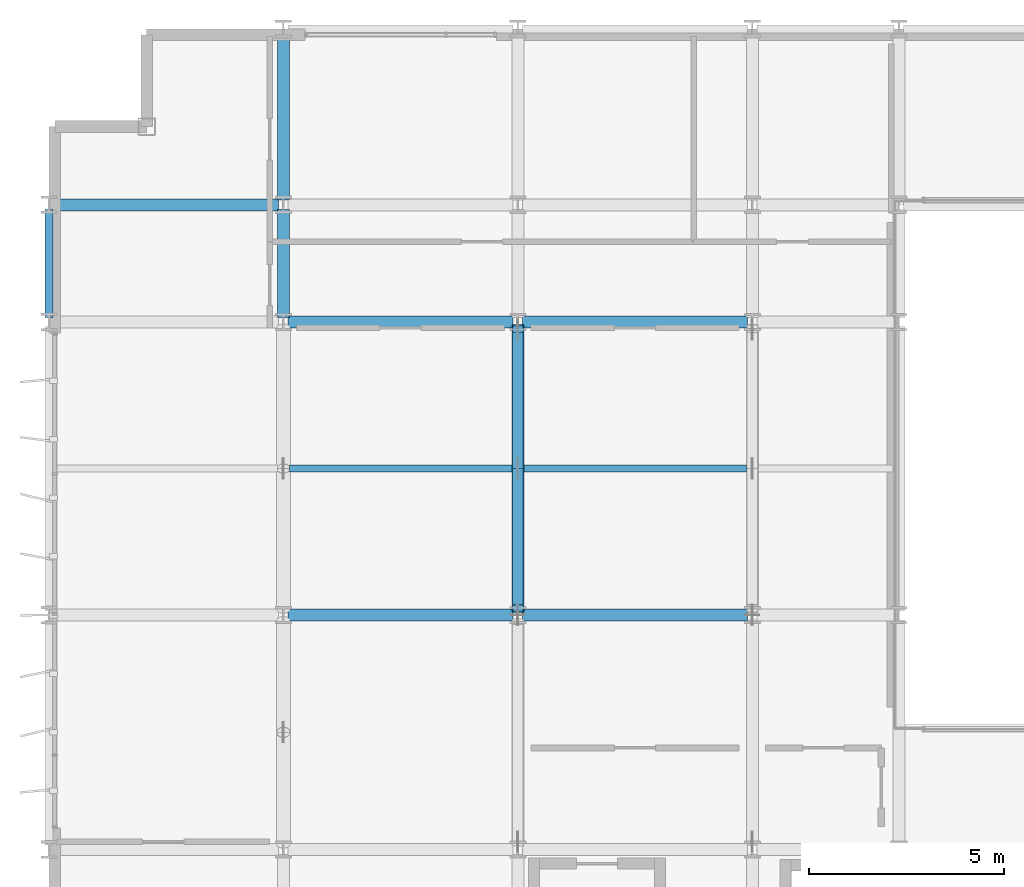
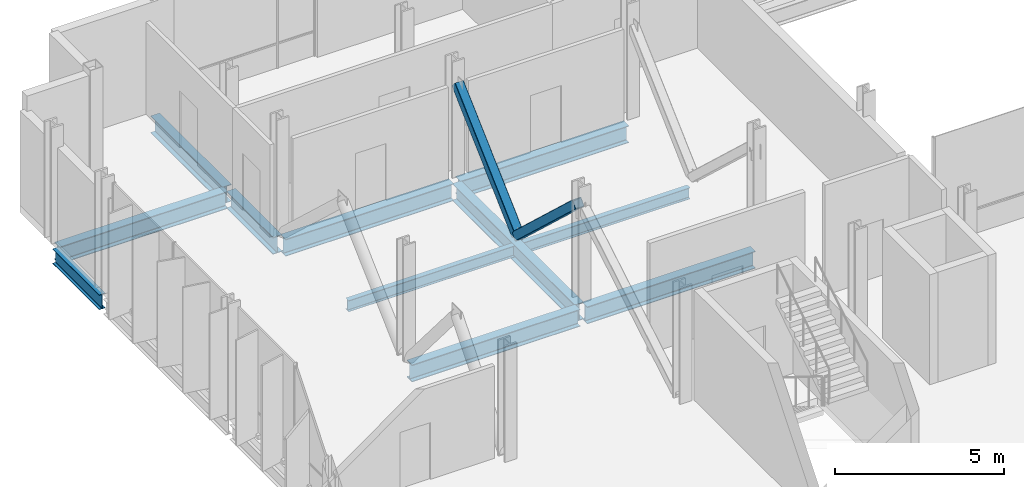
# One storey, part 6 of 32: 11 beams, 2 members.
"""IFC4 building model written with IfcOpenShell, lengths in metres."""

from ifc_helpers import new_model, si_unit, direction, frame, origin, origin_2d, place, context, subcontext, project, spatial, hollow_rectangle, i_section, extrude, material, material_profile, profile_set, type_object, element, save


model = new_model("IFC4")

# Units and contexts
model_context = context("Model", 3, precision=1e-05, world=origin(), true_north=direction((0.0, 1.0)))
body_context = subcontext(model_context, "Body", "Model", "MODEL_VIEW")
ifc_project = project(units=[si_unit("LENGTHUNIT", "METRE"), si_unit("AREAUNIT", "SQUARE_METRE"), si_unit("VOLUMEUNIT", "CUBIC_METRE"), si_unit("PLANEANGLEUNIT", "RADIAN"), si_unit("MASSUNIT", "GRAM", prefix="KILO")], contexts=[model_context])

# Site, building, storey
site_placement = place(None, origin())
site = spatial("IfcSite", under=ifc_project, at=site_placement, CompositionType="ELEMENT")
building_placement = place(site_placement, origin())
building = spatial("IfcBuilding", under=site, at=building_placement, Name="Brevholm Reach", CompositionType="ELEMENT")
storey_placement = place(building_placement, frame((0.0, 0.0, 96.199951171875)))
storey = spatial("IfcBuildingStorey", under=building, at=storey_placement, Name="L28", CompositionType="ELEMENT", Elevation=96.199951171875)

# Beams
ifc_material_1 = material(Name="Structural Steel S355J2", Category="steel")
ifc_material_profile_1 = material_profile(ifc_material_1, i_section(OverallWidth=0.177978515625, OverallDepth=0.406494140625, WebThickness=0.0078125, FlangeThickness=0.0126953125, FilletRadius=0.01025390625, at=origin_2d()), Name="UKB 406x178x60")
ifc_profile_set_1 = profile_set([ifc_material_profile_1], Name="Structural Steel S355J2")
beam_type_1 = type_object("IfcBeamType", Name="BM-B406", PredefinedType="BEAM", material=ifc_profile_set_1)
for number, where, z_axis, x_axis, name in (
    (1, (6.153564453125, 19.75, -0.463134765625), (1.0, 0.0, 0.0), (0.0, 1.0, 0.0), "L28 Composite Secondary Floor Beam"),
    (2, (12.153564453125, 19.75, -0.463134765625), (1.0, 0.0, 0.0), (0.0, 1.0, 0.0), "L28 Composite Secondary Floor Beam"),
):
    element("IfcBeam", number, at=place(storey_placement, frame(where, z_axis=z_axis, x_axis=x_axis)), inside=storey, type_object=beam_type_1, Name=name, PredefinedType="BEAM", context=body_context, shape_type="SweptSolid", body=[
        extrude(i_section(OverallWidth=0.177978515625, OverallDepth=0.406494140625, WebThickness=0.0078125, FlangeThickness=0.0126953125, FilletRadius=0.01025390625, at=origin_2d()), origin(), (0.0, 0.0, 1.0), 5.69287109375),
    ])
ifc_material_2 = material(Name="Structural Steel S355J2", Category="steel")
ifc_material_profile_2 = material_profile(ifc_material_2, i_section(OverallWidth=0.210693359375, OverallDepth=0.53955078125, WebThickness=0.01171875, FlangeThickness=0.018798828125, FilletRadius=0.0126953125, at=origin_2d()), Name="UKB 533x210x109")
ifc_profile_set_2 = profile_set([ifc_material_profile_2], Name="Structural Steel S355J2")
beam_type_2 = type_object("IfcBeamType", Name="BM-SP539", PredefinedType="SPANDREL", material=ifc_profile_set_2)
beam_1_placement = place(storey_placement, frame((0.0, 23.6201171875, -0.52978515625), z_axis=(0.0, 1.0, 0.0), x_axis=(-1.0, 0.0, 0.0)))
element("IfcBeam", 3, at=beam_1_placement, inside=storey, type_object=beam_type_2, Name="L28 SP-01B Framing Beam", PredefinedType="SPANDREL", context=body_context, shape_type="SweptSolid", body=[
    extrude(i_section(OverallWidth=0.210693359375, OverallDepth=0.53955078125, WebThickness=0.01171875, FlangeThickness=0.018798828125, FilletRadius=0.0126953125, at=origin_2d()), origin(), (0.0, 0.0, 1.0), 2.759765625),
])
ifc_material_3 = material(Name="Structural Steel S355J2", Category="steel")
ifc_material_profile_3 = material_profile(ifc_material_3, i_section(OverallWidth=0.30712890625, OverallDepth=0.6201171875, WebThickness=0.01416015625, FlangeThickness=0.023681640625, FilletRadius=0.0166015625, at=origin_2d()), Name="UKB 610x305x179")
ifc_profile_set_3 = profile_set([ifc_material_profile_3], Name="Structural Steel S355J2")
beam_type_3 = type_object("IfcBeamType", Name="BM-UKB610H", PredefinedType="USERDEFINED", material=ifc_profile_set_3)
for number, where, z_axis, x_axis, name in (
    (4, (6.1201171875, 16.0, -0.570068359375), (1.0, 0.0, 0.0), (0.0, 1.0, 0.0), "L28 G-06 Framing Beam"),
    (5, (12.1201171875, 16.0, -0.570068359375), (1.0, 0.0, 0.0), (0.0, 1.0, 0.0), "L28 G-06 Framing Beam"),
    (6, (6.1201171875, 23.5, -0.570068359375), (1.0, 0.0, 0.0), (0.0, 1.0, 0.0), "L28 G-06 Framing Beam"),
    (7, (12.1201171875, 23.5, -0.570068359375), (1.0, 0.0, 0.0), (0.0, 1.0, 0.0), "L28 G-06 Framing Beam"),
    (8, (0.1201171875, 26.5, -0.570068359375), (1.0, 0.0, 0.0), (0.0, 1.0, 0.0), "L28 G-06 Framing Beam"),
):
    element("IfcBeam", number, at=place(storey_placement, frame(where, z_axis=z_axis, x_axis=x_axis)), inside=storey, type_object=beam_type_3, Name=name, ObjectType="GIRDER", PredefinedType="USERDEFINED", context=body_context, shape_type="SweptSolid", body=[
        extrude(i_section(OverallWidth=0.30712890625, OverallDepth=0.6201171875, WebThickness=0.01416015625, FlangeThickness=0.023681640625, FilletRadius=0.0166015625, at=origin_2d()), origin(), (0.0, 0.0, 1.0), 5.759765625),
    ])
beam_2_placement = place(storey_placement, frame((6.0, 23.6201171875, -0.570068359375), z_axis=(0.0, 1.0, 0.0), x_axis=(-1.0, 0.0, 0.0)))
element("IfcBeam", 9, at=beam_2_placement, inside=storey, type_object=beam_type_3, Name="L28 G-06 Framing Beam", ObjectType="GIRDER", PredefinedType="USERDEFINED", context=body_context, shape_type="SweptSolid", body=[
    extrude(i_section(OverallWidth=0.30712890625, OverallDepth=0.6201171875, WebThickness=0.01416015625, FlangeThickness=0.023681640625, FilletRadius=0.0166015625, at=origin_2d()), origin(), (0.0, 0.0, 1.0), 2.759765625),
])
beam_3_placement = place(storey_placement, frame((6.0, 26.6201171875, -0.570068359375), z_axis=(0.0, 1.0, 0.0), x_axis=(-1.0, 0.0, 0.0)))
element("IfcBeam", 10, at=beam_3_placement, inside=storey, type_object=beam_type_3, Name="L28 G-06 Framing Beam", ObjectType="GIRDER", PredefinedType="USERDEFINED", context=body_context, shape_type="SweptSolid", body=[
    extrude(i_section(OverallWidth=0.30712890625, OverallDepth=0.6201171875, WebThickness=0.01416015625, FlangeThickness=0.023681640625, FilletRadius=0.0166015625, at=origin_2d()), origin(), (0.0, 0.0, 1.0), 4.259765625),
])
beam_4_placement = place(storey_placement, frame((12.0, 16.1201171875, -0.570068359375), z_axis=(0.0, 1.0, 0.0), x_axis=(-1.0, 0.0, 0.0)))
element("IfcBeam", 11, at=beam_4_placement, inside=storey, type_object=beam_type_3, Name="L28 G-06 Framing Beam", ObjectType="GIRDER", PredefinedType="USERDEFINED", context=body_context, shape_type="SweptSolid", body=[
    extrude(i_section(OverallWidth=0.30712890625, OverallDepth=0.6201171875, WebThickness=0.01416015625, FlangeThickness=0.023681640625, FilletRadius=0.0166015625, at=origin_2d()), origin(), (0.0, 0.0, 1.0), 7.259765625),
])

# Members
ifc_material_4 = material(Name="Structural Steel S460NH", Category="steel")
ifc_material_profile_4 = material_profile(ifc_material_4, hollow_rectangle(XDim=0.300048828125, YDim=0.300048828125, WallThickness=0.012451171875, InnerFilletRadius=0.011962890625, OuterFilletRadius=0.02392578125, at=origin_2d()), Name="SHS 300x300x12.5")
ifc_profile_set_4 = profile_set([ifc_material_profile_4], Name="Structural Steel S460NH")
member_type = type_object("IfcMemberType", Name="MEM-OB-SHS300", PredefinedType="BRACE", material=ifc_profile_set_4)
for number, where, z_axis, x_axis, name in (
    (12, (12.0, 16.169921875, 3.352783203125), (0.0, 0.731936034161, -0.681373349858), (-1.0, 0.0, 0.0), "L28 Outrigger Truss Diagonal X12.2"),
    (13, (12.0, 19.75, 0.02001953125), (0.0, 0.731936034161, 0.681373349858), (-1.0, 0.0, 0.0), "L28 Outrigger Truss Diagonal X12.3"),
):
    element("IfcMember", number, at=place(storey_placement, frame(where, z_axis=z_axis, x_axis=x_axis)), inside=storey, type_object=member_type, Name=name, PredefinedType="BRACE", context=body_context, shape_type="SweptSolid", body=[
        extrude(hollow_rectangle(XDim=0.300048828125, YDim=0.300048828125, WallThickness=0.012451171875, InnerFilletRadius=0.011962890625, OuterFilletRadius=0.02392578125, at=origin_2d()), origin(), (0.0, 0.0, 1.0), 4.891357421875),
    ])

save(model, "model.ifc")
